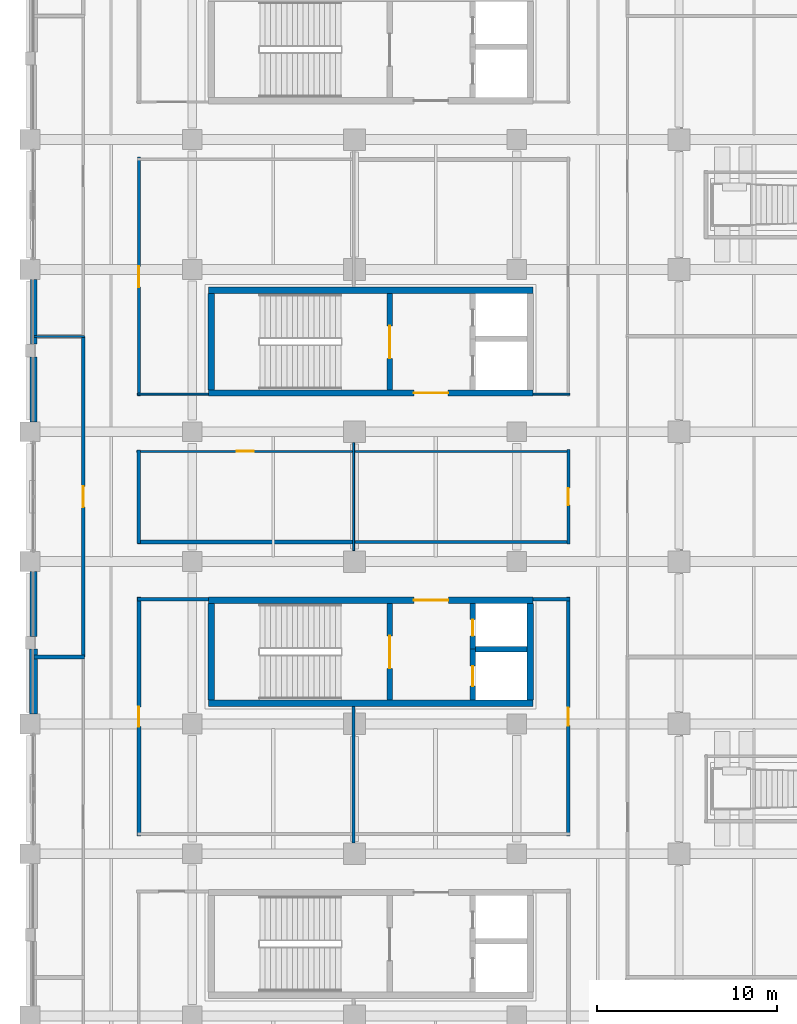
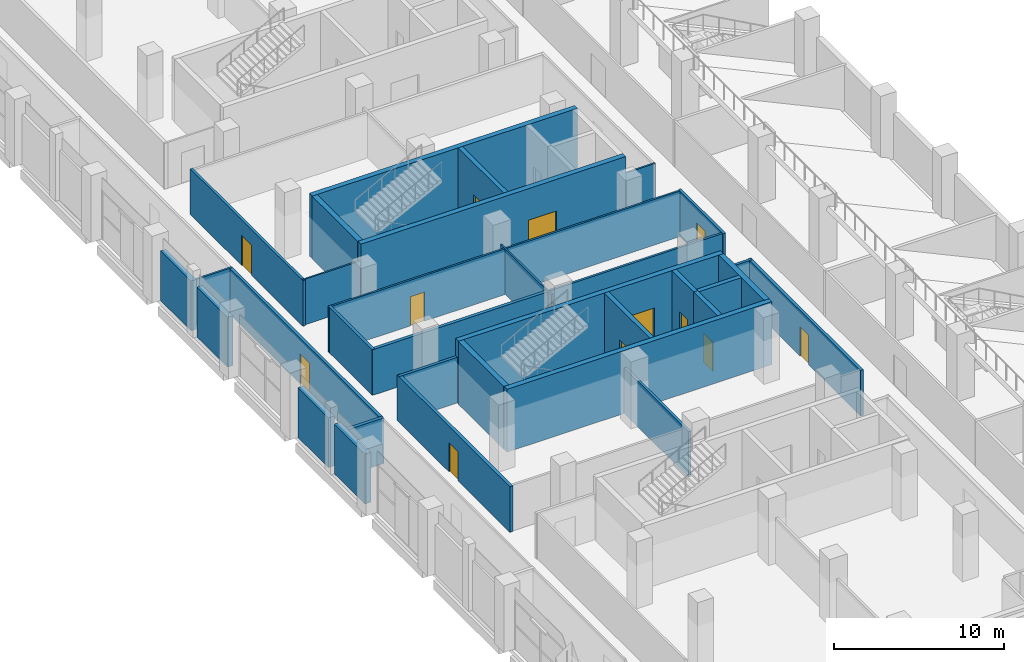
# One storey, part 56 of 100: 34 walls, 12 doors, 12 openings.
"""IFC4 building model written with IfcOpenShell, lengths in metres."""

from ifc_helpers import new_model, si_unit, direction, frame, frame_2d, origin, place, context, subcontext, project, spatial, rectangle, extrude, material, layer, layer_set, type_object, element, fill, save


model = new_model("IFC4")

# Units and contexts
model_context = context("Model", 3, precision=1e-05, world=origin(), true_north=direction((0.0, 1.0)))
body_context = subcontext(model_context, "Body", "Model", "MODEL_VIEW")
ifc_project = project(units=[si_unit("LENGTHUNIT", "METRE"), si_unit("AREAUNIT", "SQUARE_METRE"), si_unit("VOLUMEUNIT", "CUBIC_METRE"), si_unit("PLANEANGLEUNIT", "RADIAN"), si_unit("MASSUNIT", "GRAM", prefix="KILO"), si_unit("THERMODYNAMICTEMPERATUREUNIT", "KELVIN"), si_unit("POWERUNIT", "WATT")], contexts=[model_context])

# Site, building, storey
site_placement = place(None, origin())
site = spatial("IfcSite", under=ifc_project, at=site_placement, CompositionType="ELEMENT")
building_placement = place(site_placement, origin())
building = spatial("IfcBuilding", under=site, at=building_placement, Name="Sindhuravela Promenade Stadium", CompositionType="ELEMENT")
storey_placement = place(building_placement, frame((0.0, 0.0, 4.800048828125)))
storey = spatial("IfcBuildingStorey", under=building, at=storey_placement, Name="L01", CompositionType="ELEMENT", Elevation=4.800048828125)

# Walls
ifc_material_1 = material(Name="Terracotta clay brick masonry (15 MPa)", Category="masonry")
ifc_layer_1 = layer(ifc_material_1, 0.360107421875)
ifc_layer_set_1 = layer_set([ifc_layer_1], Name="Terracotta clay brick masonry (15 MPa)")
wall_type_1 = type_object("IfcWallType", Name="EX-WL-BRK360", PredefinedType="SOLIDWALL", material=ifc_layer_set_1)
wall_1_placement = place(storey_placement, frame((0.199951171875, 89.455078125, 0.0), z_axis=(0.0, 0.0, 1.0), x_axis=(0.0, 1.0, 0.0)))
element("IfcWall", 1, at=wall_1_placement, inside=storey, type_object=wall_type_1, Name="Exterior masonry wall EW05 WEST L01", PredefinedType="SOLIDWALL", context=body_context, shape_type="SweptSolid", body=[
    extrude(rectangle(XDim=3.58984375, YDim=0.360107421875, at=frame_2d((1.794921875, 0.0))), origin(), (0.0, 0.0, 1.0), 3.579833984375),
])
ifc_layer_2 = layer(ifc_material_1, 0.3798828125)
ifc_layer_set_2 = layer_set([ifc_layer_2], Name="Terracotta clay brick masonry (15 MPa)")
wall_type_2 = type_object("IfcWallType", Name="EX-WL-BRK380", PredefinedType="SOLIDWALL", material=ifc_layer_set_2)
wall_2_placement = place(storey_placement, frame((0.199951171875, 85.155029296875, 0.0), z_axis=(0.0, 0.0, 1.0), x_axis=(0.0, 1.0, 0.0)))
element("IfcWall", 2, at=wall_2_placement, inside=storey, type_object=wall_type_2, Name="Exterior masonry wall EW04 WEST L01", PredefinedType="SOLIDWALL", context=body_context, shape_type="SweptSolid", body=[
    extrude(rectangle(XDim=3.590087890625, YDim=0.3798828125, at=frame_2d((1.794921875, 0.0))), origin(), (0.0, 0.0, 1.0), 3.579833984375),
])
ifc_layer_3 = layer(ifc_material_1, 0.39990234375)
ifc_layer_set_3 = layer_set([ifc_layer_3], Name="Terracotta clay brick masonry (15 MPa)")
wall_type_3 = type_object("IfcWallType", Name="EX-WL-BRK400", PredefinedType="SOLIDWALL", material=ifc_layer_set_3)
wall_3_placement = place(storey_placement, frame((0.199951171875, 73.2548828125, 0.0), z_axis=(0.0, 0.0, 1.0), x_axis=(0.0, 1.0, 0.0)))
element("IfcWall", 3, at=wall_3_placement, inside=storey, type_object=wall_type_3, Name="Exterior masonry wall EW03 WEST L01", PredefinedType="SOLIDWALL", context=body_context, shape_type="SweptSolid", body=[
    extrude(rectangle(XDim=3.590087890625, YDim=0.39990234375, at=frame_2d((1.794921875, 0.0))), origin(), (0.0, 0.0, 1.0), 3.579833984375),
])
ifc_layer_4 = layer(ifc_material_1, 0.419921875)
ifc_layer_set_4 = layer_set([ifc_layer_4], Name="Terracotta clay brick masonry (15 MPa)")
wall_type_4 = type_object("IfcWallType", Name="EX-WL-BRK420", PredefinedType="SOLIDWALL", material=ifc_layer_set_4)
wall_4_placement = place(storey_placement, frame((0.199951171875, 68.955078125, 0.0), z_axis=(0.0, 0.0, 1.0), x_axis=(0.0, 1.0, 0.0)))
element("IfcWall", 4, at=wall_4_placement, inside=storey, type_object=wall_type_4, Name="Exterior masonry wall EW02 WEST L01", PredefinedType="SOLIDWALL", context=body_context, shape_type="SweptSolid", body=[
    extrude(rectangle(XDim=3.58984375, YDim=0.419921875, at=frame_2d((1.794921875, 0.0))), origin(), (0.0, 0.0, 1.0), 3.579833984375),
])
ifc_material_2 = material(Name="Fire-rated gypsum partition board", Category="gypsum")
ifc_layer_5 = layer(ifc_material_2, 0.110107421875)
ifc_layer_set_5 = layer_set([ifc_layer_5], Name="Fire-rated gypsum partition board")
wall_type_5 = type_object("IfcWallType", Name="IN-WL-PAR110", PredefinedType="PARTITIONING", material=ifc_layer_set_5)
wall_5_placement = place(storey_placement, frame((9.89794921875, 86.68994140625, 0.0), z_axis=(0.0, 0.0, 1.0), x_axis=(-1.0, 0.0, 0.0)))
element("IfcWall", 5, at=wall_5_placement, inside=storey, type_object=wall_type_5, Name="Interior partition IW06 WEST L01", PredefinedType="PARTITIONING", context=body_context, shape_type="SweptSolid", body=[
    extrude(rectangle(XDim=3.93798828125, YDim=0.110107421875, at=frame_2d((1.968994140625, 0.0))), origin(), (0.0, 0.0, 1.0), 3.280029296875),
])
wall_6_placement = place(storey_placement, frame((29.93994140625, 86.68994140625, 0.0), z_axis=(0.0, 0.0, 1.0), x_axis=(-1.0, 0.0, 0.0)))
element("IfcWall", 6, at=wall_6_placement, inside=storey, type_object=wall_type_5, Name="Interior partition IW06 WEST L01", PredefinedType="PARTITIONING", context=body_context, shape_type="SweptSolid", body=[
    extrude(rectangle(XDim=2.037841796875, YDim=0.110107421875, at=frame_2d((1.01904296875, 0.0))), origin(), (0.0, 0.0, 1.0), 3.280029296875),
])
wall_7_placement = place(storey_placement, frame((17.949951171875, 83.998046875, 0.0), z_axis=(0.0, 0.0, 1.0), x_axis=(0.0, -1.0, 0.0)))
element("IfcWall", 7, at=wall_7_placement, inside=storey, type_object=wall_type_5, Name="Interior partition IW06 WEST L01", PredefinedType="PARTITIONING", context=body_context, shape_type="SweptSolid", body=[
    extrude(rectangle(XDim=5.99609375, YDim=0.110107421875, at=frame_2d((2.998046875, 0.0))), origin(), (0.0, 0.0, 1.0), 3.280029296875),
])

# Wall, opening, door
ifc_layer_6 = layer(ifc_material_2, 0.1298828125)
ifc_layer_set_6 = layer_set([ifc_layer_6], Name="Fire-rated gypsum partition board")
wall_type_6 = type_object("IfcWallType", Name="IN-WL-PAR130", PredefinedType="PARTITIONING", material=ifc_layer_set_6)
wall_8_placement = place(storey_placement, frame((17.949951171875, 83.510009765625, 0.0), z_axis=(0.0, 0.0, 1.0), x_axis=(-1.0, 0.0, 0.0)))
wall_8 = element("IfcWall", 8, at=wall_8_placement, inside=storey, type_object=wall_type_6, Name="Corridor partition IW05 Accessible WC West L01 7", PredefinedType="PARTITIONING", context=body_context, shape_type="SweptSolid", body=[
    extrude(rectangle(XDim=12.030029296875, YDim=0.1298828125, at=frame_2d((6.01513671875, 0.0))), origin(), (0.0, 0.0, 1.0), 3.280029296875),
])
opening_1_placement = place(wall_8_placement, frame((5.5400390625, 0.0, 0.0)))
opening_1 = element("IfcOpeningElement", 9, at=opening_1_placement, cuts=wall_8, Name="Opening ID09", PredefinedType="OPENING", context=body_context, shape_type="SweptSolid", body=[
    extrude(rectangle(XDim=0.949951171875, YDim=2.10009765625, at=frame_2d((0.47509765625, 1.050048828125))), frame((0.0, 0.074951171875, 0.0), z_axis=(0.0, -1.0, 0.0), x_axis=(1.0, 0.0, 0.0)), (0.0, 0.0, 1.0), 0.14990234375),
])
ifc_material_3 = material(Name="Architectural teak timber leaf", Category="wood")
door_type_1 = type_object("IfcDoorType", Name="DR-INT-950x2100", OperationType="NOTDEFINED", PredefinedType="DOOR", material=ifc_material_3)
door_1_placement = place(opening_1_placement, origin())
door_1 = element("IfcDoor", 10, at=door_1_placement, inside=storey, type_object=door_type_1, Name="Accessible WC West L01 7 door", OperationType="SINGLE_SWING_LEFT", OverallHeight=2.10009765625, OverallWidth=0.949951171875, PredefinedType="DOOR", context=body_context, shape_type="SweptSolid", body=[
    extrude(rectangle(XDim=0.949951171875, YDim=2.10009765625, at=frame_2d((0.47509765625, 1.050048828125))), frame((0.0, 0.02490234375, 0.0), z_axis=(0.0, -1.0, 0.0), x_axis=(1.0, 0.0, 0.0)), (0.0, 0.0, 1.0), 0.050048828125),
])
fill(opening_1, door_1)

# Walls
wall_9_placement = place(storey_placement, frame((17.989990234375, 83.510009765625, 0.0), z_axis=(0.0, 0.0, 1.0), x_axis=(1.0, 0.0, 0.0)))
element("IfcWall", 11, at=wall_9_placement, inside=storey, type_object=wall_type_6, Name="Interior partition IW05 WEST L01", PredefinedType="PARTITIONING", context=body_context, shape_type="SweptSolid", body=[
    extrude(rectangle(XDim=11.949951171875, YDim=0.1298828125, at=frame_2d((5.97509765625, 0.0))), origin(), (0.0, 0.0, 1.0), 3.280029296875),
])
wall_10_placement = place(storey_placement, frame((3.0400390625, 89.885986328125, 0.0), z_axis=(0.0, 0.0, 1.0), x_axis=(-1.0, 0.0, 0.0)))
element("IfcWall", 12, at=wall_10_placement, inside=storey, type_object=wall_type_6, Name="Interior partition IW05 WEST L01", PredefinedType="PARTITIONING", context=body_context, shape_type="SweptSolid", body=[
    extrude(rectangle(XDim=2.800048828125, YDim=0.1298828125, at=frame_2d((1.39990234375, 0.0))), origin(), (0.0, 0.0, 1.0), 3.280029296875),
])
ifc_layer_7 = layer(ifc_material_2, 0.14990234375)
ifc_layer_set_7 = layer_set([ifc_layer_7], Name="Fire-rated gypsum partition board")
wall_type_7 = type_object("IfcWallType", Name="IN-WL-PAR150", PredefinedType="PARTITIONING", material=ifc_layer_set_7)
wall_11_placement = place(storey_placement, frame((29.93994140625, 78.489990234375, 0.0), z_axis=(0.0, 0.0, 1.0), x_axis=(-1.0, 0.0, 0.0)))
element("IfcWall", 13, at=wall_11_placement, inside=storey, type_object=wall_type_7, Name="Interior partition IW04 WEST L01", PredefinedType="PARTITIONING", context=body_context, shape_type="SweptSolid", body=[
    extrude(rectangle(XDim=11.949951171875, YDim=0.14990234375, at=frame_2d((5.97509765625, 0.0))), origin(), (0.0, 0.0, 1.0), 3.280029296875),
])

# Wall, opening, door
ifc_layer_8 = layer(ifc_material_2, 0.175048828125)
ifc_layer_set_8 = layer_set([ifc_layer_8], Name="Fire-rated gypsum partition board")
wall_type_8 = type_object("IfcWallType", Name="IN-WL-PAR175", PredefinedType="PARTITIONING", material=ifc_layer_set_8)
wall_12_placement = place(storey_placement, frame((6.0400390625, 99.830078125, 0.0), z_axis=(0.0, 0.0, 1.0), x_axis=(0.0, -1.0, 0.0)))
wall_12 = element("IfcWall", 14, at=wall_12_placement, inside=storey, type_object=wall_type_8, Name="Corridor partition IW03 Supporters Refreshment Kiosk W1 3", PredefinedType="PARTITIONING", context=body_context, shape_type="SweptSolid", body=[
    extrude(rectangle(XDim=13.260009765625, YDim=0.175048828125, at=frame_2d((6.6298828125, 0.0))), origin(), (0.0, 0.0, 1.0), 3.280029296875),
])
opening_2_placement = place(wall_12_placement, frame((6.054931640625, 0.0, 0.0)))
opening_2 = element("IfcOpeningElement", 15, at=opening_2_placement, cuts=wall_12, Name="Opening ID05", PredefinedType="OPENING", context=body_context, shape_type="SweptSolid", body=[
    extrude(rectangle(XDim=1.14990234375, YDim=2.14990234375, at=frame_2d((0.574951171875, 1.074951171875))), frame((0.0, 0.097412109375, 0.0), z_axis=(0.0, -1.0, 0.0), x_axis=(1.0, 0.0, 0.0)), (0.0, 0.0, 1.0), 0.195068359375),
])
door_type_2 = type_object("IfcDoorType", Name="DR-INT-1150x2150", OperationType="NOTDEFINED", PredefinedType="DOOR", material=ifc_material_3)
door_2_placement = place(opening_2_placement, origin())
door_2 = element("IfcDoor", 16, at=door_2_placement, inside=storey, type_object=door_type_2, Name="Supporters Refreshment Kiosk W1 3 door", OperationType="SINGLE_SWING_LEFT", OverallHeight=2.14990234375, OverallWidth=1.14990234375, PredefinedType="DOOR", context=body_context, shape_type="SweptSolid", body=[
    extrude(rectangle(XDim=1.14990234375, YDim=2.14990234375, at=frame_2d((0.574951171875, 1.074951171875))), frame((0.0, 0.02490234375, 0.0), z_axis=(0.0, -1.0, 0.0), x_axis=(1.0, 0.0, 0.0)), (0.0, 0.0, 1.0), 0.050048828125),
])
fill(opening_2, door_2)

# Walls
wall_13_placement = place(storey_placement, frame((17.949951171875, 69.373046875, 0.0), z_axis=(0.0, 0.0, 1.0), x_axis=(0.0, -1.0, 0.0)))
element("IfcWall", 17, at=wall_13_placement, inside=storey, type_object=wall_type_8, Name="Interior partition IW03 WEST L01", PredefinedType="PARTITIONING", context=body_context, shape_type="SweptSolid", body=[
    extrude(rectangle(XDim=7.571044921875, YDim=0.175048828125, at=frame_2d((3.78564453125, 0.0))), origin(), (0.0, 0.0, 1.0), 3.280029296875),
])
wall_14_placement = place(storey_placement, frame((27.902099609375, 75.31005859375, 0.0), z_axis=(0.0, 0.0, 1.0), x_axis=(1.0, 0.0, 0.0)))
element("IfcWall", 18, at=wall_14_placement, inside=storey, type_object=wall_type_8, Name="Interior partition IW03 WEST L01", PredefinedType="PARTITIONING", context=body_context, shape_type="SweptSolid", body=[
    extrude(rectangle(XDim=2.037841796875, YDim=0.175048828125, at=frame_2d((1.01904296875, 0.0))), origin(), (0.0, 0.0, 1.0), 3.280029296875),
])

# Wall, opening, door
wall_15_placement = place(storey_placement, frame((29.860107421875, 78.3701171875, 0.0), z_axis=(0.0, 0.0, 1.0), x_axis=(0.0, 1.0, 0.0)))
wall_15 = element("IfcWall", 19, at=wall_15_placement, inside=storey, type_object=wall_type_8, Name="Corridor partition IW03 Public Toilet Block West L01 8", PredefinedType="PARTITIONING", context=body_context, shape_type="SweptSolid", body=[
    extrude(rectangle(XDim=5.259765625, YDim=0.175048828125, at=frame_2d((2.6298828125, 0.0))), origin(), (0.0, 0.0, 1.0), 3.280029296875),
])
opening_3_placement = place(wall_15_placement, frame((2.155029296875, 0.0, 0.0)))
opening_3 = element("IfcOpeningElement", 20, at=opening_3_placement, cuts=wall_15, Name="Opening ID10", PredefinedType="OPENING", context=body_context, shape_type="SweptSolid", body=[
    extrude(rectangle(XDim=0.949951171875, YDim=2.179931640625, at=frame_2d((0.47509765625, 1.08984375))), frame((0.0, 0.097412109375, 0.0), z_axis=(0.0, -1.0, 0.0), x_axis=(1.0, 0.0, 0.0)), (0.0, 0.0, 1.0), 0.195068359375),
])
door_type_3 = type_object("IfcDoorType", Name="DR-INT-950x2180", OperationType="NOTDEFINED", PredefinedType="DOOR", material=ifc_material_3)
door_3_placement = place(opening_3_placement, origin())
door_3 = element("IfcDoor", 21, at=door_3_placement, inside=storey, type_object=door_type_3, Name="Public Toilet Block West L01 8 door", OperationType="SINGLE_SWING_RIGHT", OverallHeight=2.179931640625, OverallWidth=0.949951171875, PredefinedType="DOOR", context=body_context, shape_type="SweptSolid", body=[
    extrude(rectangle(XDim=0.949951171875, YDim=2.179931640625, at=frame_2d((0.47509765625, 1.08984375))), frame((0.0, 0.02490234375, 0.0), z_axis=(0.0, -1.0, 0.0), x_axis=(1.0, 0.0, 0.0)), (0.0, 0.0, 1.0), 0.050048828125),
])
fill(opening_3, door_3)

# Wall
ifc_layer_9 = layer(ifc_material_2, 0.195068359375)
ifc_layer_set_9 = layer_set([ifc_layer_9], Name="Fire-rated gypsum partition board")
wall_type_9 = type_object("IfcWallType", Name="IN-WL-PAR195", PredefinedType="PARTITIONING", material=ifc_layer_set_9)
wall_16_placement = place(storey_placement, frame((5.9599609375, 75.31005859375, 0.0), z_axis=(0.0, 0.0, 1.0), x_axis=(1.0, 0.0, 0.0)))
element("IfcWall", 22, at=wall_16_placement, inside=storey, type_object=wall_type_9, Name="Interior partition IW02 WEST L01", PredefinedType="PARTITIONING", context=body_context, shape_type="SweptSolid", body=[
    extrude(rectangle(XDim=3.93798828125, YDim=0.195068359375, at=frame_2d((1.968994140625, 0.0))), origin(), (0.0, 0.0, 1.0), 3.280029296875),
])

# Wall, opening, door
wall_17_placement = place(storey_placement, frame((29.860107421875, 62.169921875, 0.0), z_axis=(0.0, 0.0, 1.0), x_axis=(0.0, 1.0, 0.0)))
wall_17 = element("IfcWall", 23, at=wall_17_placement, inside=storey, type_object=wall_type_9, Name="Corridor partition IW02 Spectator First Aid Room L01 6", PredefinedType="PARTITIONING", context=body_context, shape_type="SweptSolid", body=[
    extrude(rectangle(XDim=13.260009765625, YDim=0.195068359375, at=frame_2d((6.6298828125, 0.0))), origin(), (0.0, 0.0, 1.0), 3.280029296875),
])
opening_4_placement = place(wall_17_placement, frame((6.1298828125, 0.0, 0.0)))
opening_4 = element("IfcOpeningElement", 24, at=opening_4_placement, cuts=wall_17, Name="Opening ID08", PredefinedType="OPENING", context=body_context, shape_type="SweptSolid", body=[
    extrude(rectangle(XDim=1.0, YDim=2.10009765625, at=frame_2d((0.5, 1.050048828125))), frame((0.0, 0.107421875, 0.0), z_axis=(0.0, -1.0, 0.0), x_axis=(1.0, 0.0, 0.0)), (0.0, 0.0, 1.0), 0.215087890625),
])
door_type_4 = type_object("IfcDoorType", Name="DR-INT-1000x2100", OperationType="NOTDEFINED", PredefinedType="DOOR", material=ifc_material_3)
door_4_placement = place(opening_4_placement, origin())
door_4 = element("IfcDoor", 25, at=door_4_placement, inside=storey, type_object=door_type_4, Name="Spectator First Aid Room L01 6 door", OperationType="SINGLE_SWING_RIGHT", OverallHeight=2.10009765625, OverallWidth=1.0, PredefinedType="DOOR", context=body_context, shape_type="SweptSolid", body=[
    extrude(rectangle(XDim=1.0, YDim=2.10009765625, at=frame_2d((0.5, 1.050048828125))), frame((0.0, 0.02490234375, 0.0), z_axis=(0.0, -1.0, 0.0), x_axis=(1.0, 0.0, 0.0)), (0.0, 0.0, 1.0), 0.050048828125),
])
fill(opening_4, door_4)

# Wall
wall_18_placement = place(storey_placement, frame((6.0400390625, 78.409912109375, 0.0), z_axis=(0.0, 0.0, 1.0), x_axis=(0.0, 1.0, 0.0)))
element("IfcWall", 26, at=wall_18_placement, inside=storey, type_object=wall_type_9, Name="Interior partition IW02 WEST L01", PredefinedType="PARTITIONING", context=body_context, shape_type="SweptSolid", body=[
    extrude(rectangle(XDim=5.18017578125, YDim=0.195068359375, at=frame_2d((2.590087890625, 0.0))), origin(), (0.0, 0.0, 1.0), 3.280029296875),
])

# Wall, opening, door
wall_19_placement = place(storey_placement, frame((2.9599609375, 72.114013671875, 0.0), z_axis=(0.0, 0.0, 1.0), x_axis=(0.0, 1.0, 0.0)))
wall_19 = element("IfcWall", 27, at=wall_19_placement, inside=storey, type_object=wall_type_9, Name="Corridor partition IW02 Spectator First Aid Room L01 13", PredefinedType="PARTITIONING", context=body_context, shape_type="SweptSolid", body=[
    extrude(rectangle(XDim=17.77197265625, YDim=0.195068359375, at=frame_2d((8.885986328125, 0.0))), origin(), (0.0, 0.0, 1.0), 3.280029296875),
])
opening_5_placement = place(wall_19_placement, frame((8.31103515625, 0.0, 0.0)))
opening_5 = element("IfcOpeningElement", 28, at=opening_5_placement, cuts=wall_19, Name="Opening ID05", PredefinedType="OPENING", context=body_context, shape_type="SweptSolid", body=[
    extrude(rectangle(XDim=1.14990234375, YDim=2.14990234375, at=frame_2d((0.574951171875, 1.074951171875))), frame((0.0, 0.107421875, 0.0), z_axis=(0.0, -1.0, 0.0), x_axis=(1.0, 0.0, 0.0)), (0.0, 0.0, 1.0), 0.215087890625),
])
door_5_placement = place(opening_5_placement, origin())
door_5 = element("IfcDoor", 29, at=door_5_placement, inside=storey, type_object=door_type_2, Name="Spectator First Aid Room L01 13 door", OperationType="SINGLE_SWING_LEFT", OverallHeight=2.14990234375, OverallWidth=1.14990234375, PredefinedType="DOOR", context=body_context, shape_type="SweptSolid", body=[
    extrude(rectangle(XDim=1.14990234375, YDim=2.14990234375, at=frame_2d((0.574951171875, 1.074951171875))), frame((0.0, 0.02490234375, 0.0), z_axis=(0.0, -1.0, 0.0), x_axis=(1.0, 0.0, 0.0)), (0.0, 0.0, 1.0), 0.050048828125),
])
fill(opening_5, door_5)

ifc_layer_10 = layer(ifc_material_2, 0.219970703125)
ifc_layer_set_10 = layer_set([ifc_layer_10], Name="Fire-rated gypsum partition board")
wall_type_10 = type_object("IfcWallType", Name="IN-WL-PAR220", PredefinedType="PARTITIONING", material=ifc_layer_set_10)
wall_20_placement = place(storey_placement, frame((6.0400390625, 75.429931640625, 0.0), z_axis=(0.0, 0.0, 1.0), x_axis=(0.0, -1.0, 0.0)))
wall_20 = element("IfcWall", 30, at=wall_20_placement, inside=storey, type_object=wall_type_10, Name="Corridor partition IW01 Supporters Refreshment Kiosk W2 4", PredefinedType="PARTITIONING", context=body_context, shape_type="SweptSolid", body=[
    extrude(rectangle(XDim=13.260009765625, YDim=0.219970703125, at=frame_2d((6.6298828125, 0.0))), origin(), (0.0, 0.0, 1.0), 3.280029296875),
])
opening_6_placement = place(wall_20_placement, frame((6.080078125, 0.0, 0.0)))
opening_6 = element("IfcOpeningElement", 31, at=opening_6_placement, cuts=wall_20, Name="Opening ID06", PredefinedType="OPENING", context=body_context, shape_type="SweptSolid", body=[
    extrude(rectangle(XDim=1.10009765625, YDim=2.10009765625, at=frame_2d((0.550048828125, 1.050048828125))), frame((0.0, 0.119873046875, 0.0), z_axis=(0.0, -1.0, 0.0), x_axis=(1.0, 0.0, 0.0)), (0.0, 0.0, 1.0), 0.239990234375),
])
door_type_5 = type_object("IfcDoorType", Name="DR-INT-1100x2100", OperationType="NOTDEFINED", PredefinedType="DOOR", material=ifc_material_3)
door_6_placement = place(opening_6_placement, origin())
door_6 = element("IfcDoor", 32, at=door_6_placement, inside=storey, type_object=door_type_5, Name="Supporters Refreshment Kiosk W2 4 door", OperationType="SINGLE_SWING_RIGHT", OverallHeight=2.10009765625, OverallWidth=1.10009765625, PredefinedType="DOOR", context=body_context, shape_type="SweptSolid", body=[
    extrude(rectangle(XDim=1.10009765625, YDim=2.10009765625, at=frame_2d((0.550048828125, 1.050048828125))), frame((0.0, 0.02490234375, 0.0), z_axis=(0.0, -1.0, 0.0), x_axis=(1.0, 0.0, 0.0)), (0.0, 0.0, 1.0), 0.050048828125),
])
fill(opening_6, door_6)

# Walls
wall_21_placement = place(storey_placement, frame((17.909912109375, 78.489990234375, 0.0), z_axis=(0.0, 0.0, 1.0), x_axis=(-1.0, 0.0, 0.0)))
element("IfcWall", 33, at=wall_21_placement, inside=storey, type_object=wall_type_10, Name="Interior partition IW01 WEST L01", PredefinedType="PARTITIONING", context=body_context, shape_type="SweptSolid", body=[
    extrude(rectangle(XDim=11.949951171875, YDim=0.219970703125, at=frame_2d((5.97509765625, 0.0))), origin(), (0.0, 0.0, 1.0), 3.280029296875),
])
wall_22_placement = place(storey_placement, frame((0.239990234375, 72.114013671875, 0.0), z_axis=(0.0, 0.0, 1.0), x_axis=(1.0, 0.0, 0.0)))
element("IfcWall", 34, at=wall_22_placement, inside=storey, type_object=wall_type_10, Name="Interior partition IW01 WEST L01", PredefinedType="PARTITIONING", context=body_context, shape_type="SweptSolid", body=[
    extrude(rectangle(XDim=2.800048828125, YDim=0.219970703125, at=frame_2d((1.39990234375, 0.0))), origin(), (0.0, 0.0, 1.0), 3.280029296875),
])

# Wall, opening, door
ifc_material_4 = material(Name="Concrete M50", Category="concrete")
ifc_layer_11 = layer(ifc_material_4, 0.300048828125)
ifc_layer_set_11 = layer_set([ifc_layer_11], Name="Concrete M50")
wall_type_11 = type_object("IfcWallType", Name="RC-SW-300", PredefinedType="SHEAR", material=ifc_layer_set_11)
wall_23_placement = place(storey_placement, frame((19.949951171875, 69.72509765625, 0.0), z_axis=(0.0, 0.0, 1.0), x_axis=(0.0, 1.0, 0.0)))
wall_23 = element("IfcWall", 35, at=wall_23_placement, inside=storey, type_object=wall_type_11, Name="Core shear wall C02-ST (L01)", PredefinedType="SHEAR", context=body_context, shape_type="SweptSolid", body=[
    extrude(rectangle(XDim=5.349853515625, YDim=0.300048828125, at=frame_2d((2.6748046875, 0.0))), origin(), (0.0, 0.0, 1.0), 4.52001953125),
])
opening_7_placement = place(wall_23_placement, frame((1.75, 0.0, 0.0)))
opening_7 = element("IfcOpeningElement", 36, at=opening_7_placement, cuts=wall_23, Name="Opening FD01", PredefinedType="OPENING", context=body_context, shape_type="SweptSolid", body=[
    extrude(rectangle(XDim=1.800048828125, YDim=2.25, at=frame_2d((0.89990234375, 1.125))), frame((0.0, 0.159912109375, 0.0), z_axis=(0.0, -1.0, 0.0), x_axis=(1.0, 0.0, 0.0)), (0.0, 0.0, 1.0), 0.320068359375),
])
ifc_material_5 = material(Name="Architectural wrought steel E350", Category="steel")
door_type_6 = type_object("IfcDoorType", Name="DR-CORE-1800x2250", OperationType="DOUBLE_DOOR_SINGLE_SWING", PredefinedType="DOOR", material=ifc_material_5)
door_7_placement = place(opening_7_placement, origin())
door_7 = element("IfcDoor", 37, at=door_7_placement, inside=storey, type_object=door_type_6, Name="Stair ST02 lobby fire door (L01)", OperationType="DOUBLE_DOOR_SINGLE_SWING", OverallHeight=2.25, OverallWidth=1.800048828125, PredefinedType="DOOR", context=body_context, shape_type="SweptSolid", body=[
    extrude(rectangle(XDim=1.800048828125, YDim=2.25, at=frame_2d((0.89990234375, 1.125))), frame((0.0, 0.02490234375, 0.0), z_axis=(0.0, -1.0, 0.0), x_axis=(1.0, 0.0, 0.0)), (0.0, 0.0, 1.0), 0.050048828125),
])
fill(opening_7, door_7)

wall_24_placement = place(storey_placement, frame((24.550048828125, 69.72509765625, 0.0), z_axis=(0.0, 0.0, 1.0), x_axis=(0.0, 1.0, 0.0)))
wall_24 = element("IfcWall", 38, at=wall_24_placement, inside=storey, type_object=wall_type_11, Name="Core shear wall C02-LFT (L01)", PredefinedType="SHEAR", context=body_context, shape_type="SweptSolid", body=[
    extrude(rectangle(XDim=2.824951171875, YDim=0.300048828125, at=frame_2d((1.41259765625, 0.0))), origin(), (0.0, 0.0, 1.0), 4.52001953125),
])
opening_8_placement = place(wall_24_placement, frame((0.77490234375, 0.0, 0.0)))
opening_8 = element("IfcOpeningElement", 39, at=opening_8_placement, cuts=wall_24, Name="Opening LD", PredefinedType="OPENING", context=body_context, shape_type="SweptSolid", body=[
    extrude(rectangle(XDim=1.10009765625, YDim=2.10009765625, at=frame_2d((0.550048828125, 1.050048828125))), frame((0.0, 0.159912109375, 0.0), z_axis=(0.0, -1.0, 0.0), x_axis=(1.0, 0.0, 0.0)), (0.0, 0.0, 1.0), 0.320068359375),
])
door_type_7 = type_object("IfcDoorType", Name="DR-LFT-1100x2100", OperationType="DOUBLE_DOOR_SLIDING", PredefinedType="DOOR", material=ifc_material_5)
door_8_placement = place(opening_8_placement, origin())
door_8 = element("IfcDoor", 40, at=door_8_placement, inside=storey, type_object=door_type_7, Name="Lift FL02 landing door (L01)", OperationType="DOUBLE_DOOR_SLIDING", OverallHeight=2.10009765625, OverallWidth=1.10009765625, PredefinedType="DOOR", context=body_context, shape_type="SweptSolid", body=[
    extrude(rectangle(XDim=1.10009765625, YDim=2.10009765625, at=frame_2d((0.550048828125, 1.050048828125))), frame((0.0, 0.02490234375, 0.0), z_axis=(0.0, -1.0, 0.0), x_axis=(1.0, 0.0, 0.0)), (0.0, 0.0, 1.0), 0.050048828125),
])
fill(opening_8, door_8)

wall_25_placement = place(storey_placement, frame((24.550048828125, 72.550048828125, 0.0), z_axis=(0.0, 0.0, 1.0), x_axis=(0.0, 1.0, 0.0)))
wall_25 = element("IfcWall", 41, at=wall_25_placement, inside=storey, type_object=wall_type_11, Name="Core shear wall C02-RSR (L01)", PredefinedType="SHEAR", context=body_context, shape_type="SweptSolid", body=[
    extrude(rectangle(XDim=2.52490234375, YDim=0.300048828125, at=frame_2d((1.262451171875, 0.0))), origin(), (0.0, 0.0, 1.0), 4.52001953125),
])
opening_9_placement = place(wall_25_placement, frame((0.72509765625, 0.0, 0.0)))
opening_9 = element("IfcOpeningElement", 42, at=opening_9_placement, cuts=wall_25, Name="Opening FD03", PredefinedType="OPENING", context=body_context, shape_type="SweptSolid", body=[
    extrude(rectangle(XDim=0.89990234375, YDim=2.10009765625, at=frame_2d((0.449951171875, 1.050048828125))), frame((0.0, 0.159912109375, 0.0), z_axis=(0.0, -1.0, 0.0), x_axis=(1.0, 0.0, 0.0)), (0.0, 0.0, 1.0), 0.320068359375),
])
door_type_8 = type_object("IfcDoorType", Name="DR-RSR-900x2100", OperationType="NOTDEFINED", PredefinedType="DOOR", material=ifc_material_5)
door_9_placement = place(opening_9_placement, origin())
door_9 = element("IfcDoor", 43, at=door_9_placement, inside=storey, type_object=door_type_8, Name="Riser shaft access door C02 (L01)", OperationType="SINGLE_SWING_RIGHT", OverallHeight=2.10009765625, OverallWidth=0.89990234375, PredefinedType="DOOR", context=body_context, shape_type="SweptSolid", body=[
    extrude(rectangle(XDim=0.89990234375, YDim=2.10009765625, at=frame_2d((0.449951171875, 1.050048828125))), frame((0.0, 0.02490234375, 0.0), z_axis=(0.0, -1.0, 0.0), x_axis=(1.0, 0.0, 0.0)), (0.0, 0.0, 1.0), 0.050048828125),
])
fill(opening_9, door_9)

# Wall
wall_26_placement = place(storey_placement, frame((24.699951171875, 72.550048828125, 0.0), z_axis=(0.0, 0.0, 1.0), x_axis=(1.0, 0.0, 0.0)))
element("IfcWall", 44, at=wall_26_placement, inside=storey, type_object=wall_type_11, Name="Core shear wall C02-DIV (L01)", PredefinedType="SHEAR", context=body_context, shape_type="SweptSolid", body=[
    extrude(rectangle(XDim=2.875, YDim=0.300048828125, at=frame_2d((1.4375, 0.0))), origin(), (0.0, 0.0, 1.0), 4.52001953125),
])

# Wall, opening, door
wall_27_placement = place(storey_placement, frame((19.949951171875, 86.925048828125, 0.0), z_axis=(0.0, 0.0, 1.0), x_axis=(0.0, 1.0, 0.0)))
wall_27 = element("IfcWall", 45, at=wall_27_placement, inside=storey, type_object=wall_type_11, Name="Core shear wall C03-ST (L01)", PredefinedType="SHEAR", context=body_context, shape_type="SweptSolid", body=[
    extrude(rectangle(XDim=5.349853515625, YDim=0.300048828125, at=frame_2d((2.6748046875, 0.0))), origin(), (0.0, 0.0, 1.0), 4.52001953125),
])
opening_10_placement = place(wall_27_placement, frame((1.75, 0.0, 0.0)))
opening_10 = element("IfcOpeningElement", 46, at=opening_10_placement, cuts=wall_27, Name="Opening FD01", PredefinedType="OPENING", context=body_context, shape_type="SweptSolid", body=[
    extrude(rectangle(XDim=1.800048828125, YDim=2.25, at=frame_2d((0.89990234375, 1.125))), frame((0.0, 0.159912109375, 0.0), z_axis=(0.0, -1.0, 0.0), x_axis=(1.0, 0.0, 0.0)), (0.0, 0.0, 1.0), 0.320068359375),
])
door_10_placement = place(opening_10_placement, origin())
door_10 = element("IfcDoor", 47, at=door_10_placement, inside=storey, type_object=door_type_6, Name="Stair ST03 lobby fire door (L01)", OperationType="DOUBLE_DOOR_SINGLE_SWING", OverallHeight=2.25, OverallWidth=1.800048828125, PredefinedType="DOOR", context=body_context, shape_type="SweptSolid", body=[
    extrude(rectangle(XDim=1.800048828125, YDim=2.25, at=frame_2d((0.89990234375, 1.125))), frame((0.0, 0.02490234375, 0.0), z_axis=(0.0, -1.0, 0.0), x_axis=(1.0, 0.0, 0.0)), (0.0, 0.0, 1.0), 0.050048828125),
])
fill(opening_10, door_10)

# Wall
ifc_layer_12 = layer(ifc_material_4, 0.35009765625)
ifc_layer_set_12 = layer_set([ifc_layer_12], Name="Concrete M50")
wall_type_12 = type_object("IfcWallType", Name="RC-SW-350", PredefinedType="SHEAR", material=ifc_layer_set_12)
wall_28_placement = place(storey_placement, frame((9.89990234375, 69.550048828125, 0.0), z_axis=(0.0, 0.0, 1.0), x_axis=(1.0, 0.0, 0.0)))
element("IfcWall", 48, at=wall_28_placement, inside=storey, type_object=wall_type_12, Name="Core shear wall C02-S (L01)", PredefinedType="SHEAR", context=body_context, shape_type="SweptSolid", body=[
    extrude(rectangle(XDim=18.0, YDim=0.35009765625, at=frame_2d((9.0, 0.0))), origin(), (0.0, 0.0, 1.0), 4.52001953125),
])

# Wall, opening, door
wall_29_placement = place(storey_placement, frame((27.89990234375, 75.25, 0.0), z_axis=(0.0, 0.0, 1.0), x_axis=(-1.0, 0.0, 0.0)))
wall_29 = element("IfcWall", 49, at=wall_29_placement, inside=storey, type_object=wall_type_12, Name="Core shear wall C02-N (L01)", PredefinedType="SHEAR", context=body_context, shape_type="SweptSolid", body=[
    extrude(rectangle(XDim=18.0, YDim=0.35009765625, at=frame_2d((9.0, 0.0))), origin(), (0.0, 0.0, 1.0), 4.52001953125),
])
opening_11_placement = place(wall_29_placement, frame((4.699951171875, 0.0, 0.0)))
opening_11 = element("IfcOpeningElement", 50, at=opening_11_placement, cuts=wall_29, Name="Opening FD02", PredefinedType="OPENING", context=body_context, shape_type="SweptSolid", body=[
    extrude(rectangle(XDim=1.89990234375, YDim=2.25, at=frame_2d((0.949951171875, 1.125))), frame((0.0, 0.18505859375, 0.0), z_axis=(0.0, -1.0, 0.0), x_axis=(1.0, 0.0, 0.0)), (0.0, 0.0, 1.0), 0.3701171875),
])
door_type_9 = type_object("IfcDoorType", Name="DR-LOB-1900x2250", OperationType="DOUBLE_DOOR_SINGLE_SWING", PredefinedType="DOOR", material=ifc_material_5)
door_11_placement = place(opening_11_placement, origin())
door_11 = element("IfcDoor", 51, at=door_11_placement, inside=storey, type_object=door_type_9, Name="Protected lobby entrance door C02 (L01)", OperationType="DOUBLE_DOOR_SINGLE_SWING", OverallHeight=2.25, OverallWidth=1.89990234375, PredefinedType="DOOR", context=body_context, shape_type="SweptSolid", body=[
    extrude(rectangle(XDim=1.89990234375, YDim=2.25, at=frame_2d((0.949951171875, 1.125))), frame((0.0, 0.02490234375, 0.0), z_axis=(0.0, -1.0, 0.0), x_axis=(1.0, 0.0, 0.0)), (0.0, 0.0, 1.0), 0.050048828125),
])
fill(opening_11, door_11)

# Walls
for number, where, z_axis, x_axis, name in (
    (52, (10.050048828125, 75.074951171875, 0.0), (0.0, 0.0, 1.0), (0.0, -1.0, 0.0), "Core shear wall C02-W (L01)"),
    (53, (27.75, 69.72509765625, 0.0), (0.0, 0.0, 1.0), (0.0, 1.0, 0.0), "Core shear wall C02-E (L01)"),
):
    element("IfcWall", number, at=place(storey_placement, frame(where, z_axis=z_axis, x_axis=x_axis)), inside=storey, type_object=wall_type_12, Name=name, PredefinedType="SHEAR", context=body_context, shape_type="SweptSolid", body=[
        extrude(rectangle(XDim=5.349853515625, YDim=0.35009765625, at=frame_2d((2.6748046875, 0.0))), origin(), (0.0, 0.0, 1.0), 4.52001953125),
    ])

# Wall, opening, door
wall_30_placement = place(storey_placement, frame((9.89990234375, 86.75, 0.0), z_axis=(0.0, 0.0, 1.0), x_axis=(1.0, 0.0, 0.0)))
wall_30 = element("IfcWall", 54, at=wall_30_placement, inside=storey, type_object=wall_type_12, Name="Core shear wall C03-S (L01)", PredefinedType="SHEAR", context=body_context, shape_type="SweptSolid", body=[
    extrude(rectangle(XDim=18.0, YDim=0.35009765625, at=frame_2d((9.0, 0.0))), origin(), (0.0, 0.0, 1.0), 4.52001953125),
])
opening_12_placement = place(wall_30_placement, frame((11.39990234375, 0.0, 0.0)))
opening_12 = element("IfcOpeningElement", 55, at=opening_12_placement, cuts=wall_30, Name="Opening FD02", PredefinedType="OPENING", context=body_context, shape_type="SweptSolid", body=[
    extrude(rectangle(XDim=1.89990234375, YDim=2.25, at=frame_2d((0.949951171875, 1.125))), frame((0.0, 0.18505859375, 0.0), z_axis=(0.0, -1.0, 0.0), x_axis=(1.0, 0.0, 0.0)), (0.0, 0.0, 1.0), 0.3701171875),
])
door_12_placement = place(opening_12_placement, origin())
door_12 = element("IfcDoor", 56, at=door_12_placement, inside=storey, type_object=door_type_9, Name="Protected lobby entrance door C03 (L01)", OperationType="DOUBLE_DOOR_SINGLE_SWING", OverallHeight=2.25, OverallWidth=1.89990234375, PredefinedType="DOOR", context=body_context, shape_type="SweptSolid", body=[
    extrude(rectangle(XDim=1.89990234375, YDim=2.25, at=frame_2d((0.949951171875, 1.125))), frame((0.0, 0.02490234375, 0.0), z_axis=(0.0, -1.0, 0.0), x_axis=(1.0, 0.0, 0.0)), (0.0, 0.0, 1.0), 0.050048828125),
])
fill(opening_12, door_12)

# Walls
wall_31_placement = place(storey_placement, frame((27.89990234375, 92.449951171875, 0.0), z_axis=(0.0, 0.0, 1.0), x_axis=(-1.0, 0.0, 0.0)))
element("IfcWall", 57, at=wall_31_placement, inside=storey, type_object=wall_type_12, Name="Core shear wall C03-N (L01)", PredefinedType="SHEAR", context=body_context, shape_type="SweptSolid", body=[
    extrude(rectangle(XDim=18.0, YDim=0.35009765625, at=frame_2d((9.0, 0.0))), origin(), (0.0, 0.0, 1.0), 4.52001953125),
])
wall_32_placement = place(storey_placement, frame((10.050048828125, 92.27490234375, 0.0), z_axis=(0.0, 0.0, 1.0), x_axis=(0.0, -1.0, 0.0)))
element("IfcWall", 58, at=wall_32_placement, inside=storey, type_object=wall_type_12, Name="Core shear wall C03-W (L01)", PredefinedType="SHEAR", context=body_context, shape_type="SweptSolid", body=[
    extrude(rectangle(XDim=5.349853515625, YDim=0.35009765625, at=frame_2d((2.6748046875, 0.0))), origin(), (0.0, 0.0, 1.0), 4.52001953125),
])

save(model, "model.ifc")
